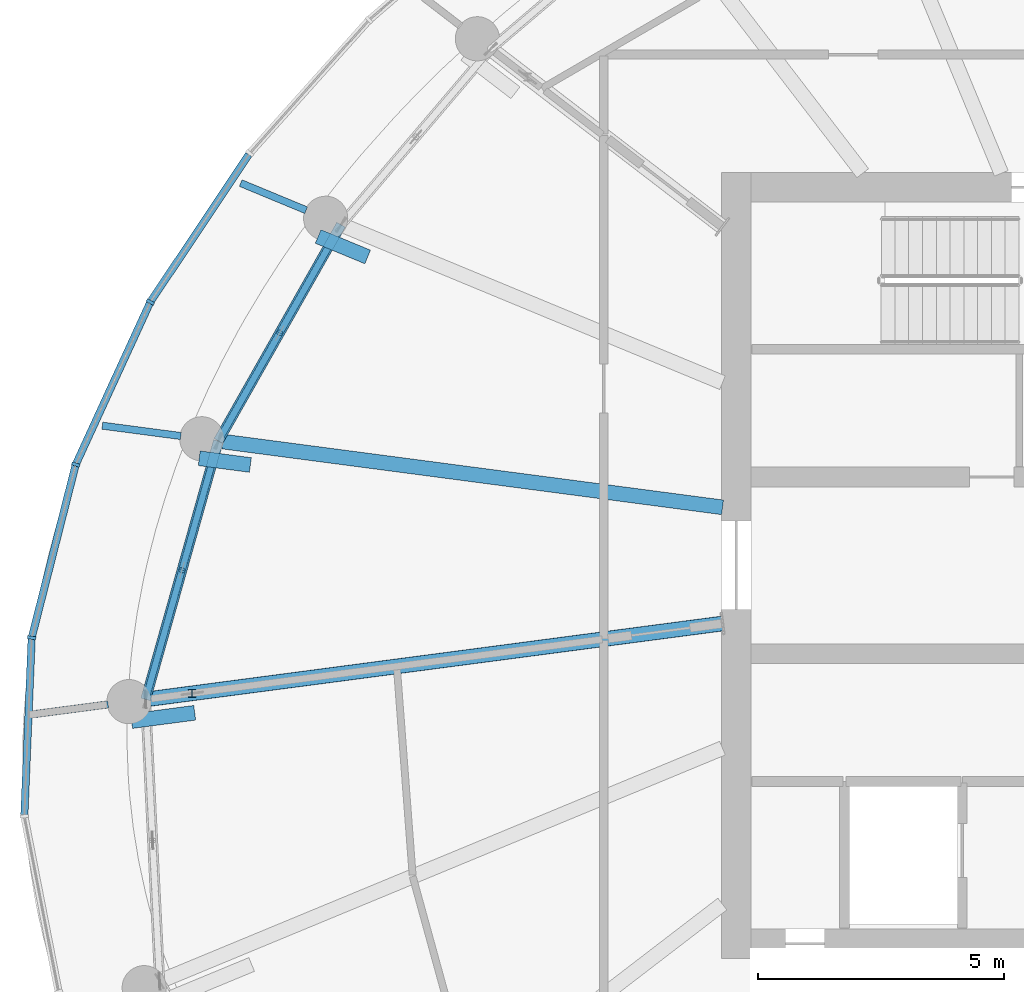
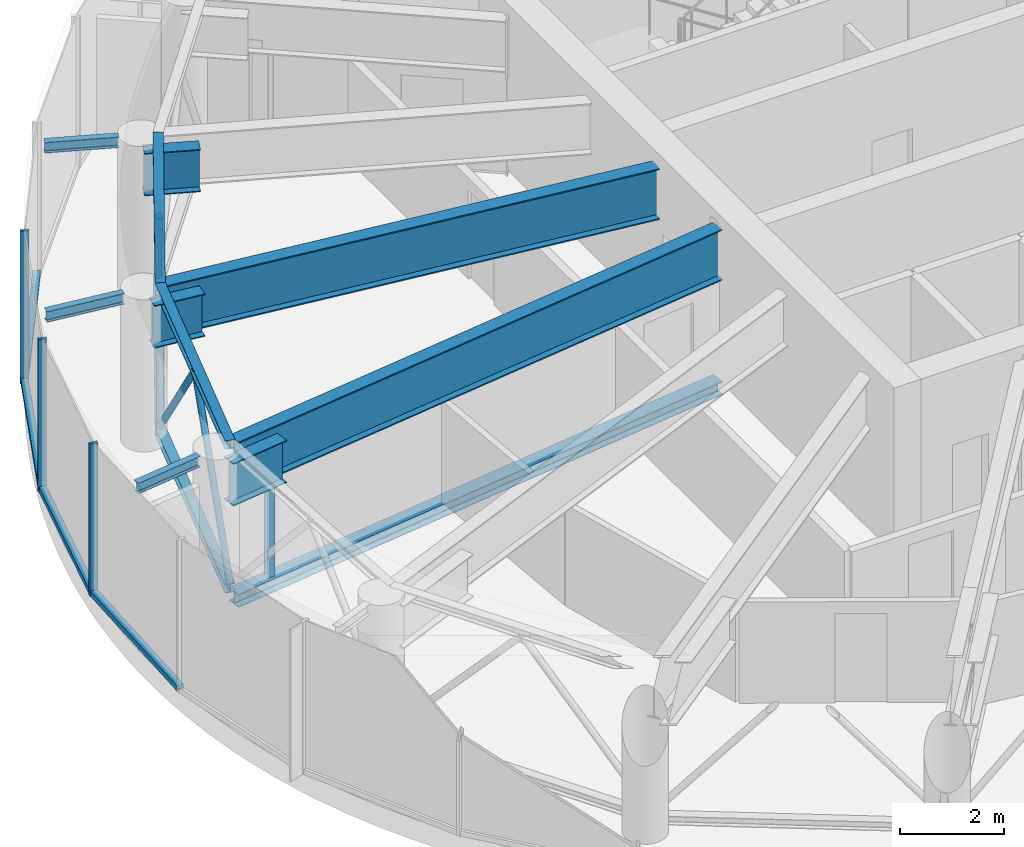
# One storey, part 5 of 26: 17 members, 8 beams, 1 element without a shape of its own.
"""IFC4 building model written with IfcOpenShell, lengths in metres."""

from ifc_helpers import new_model, si_unit, direction, frame, origin, origin_2d, place, context, subcontext, project, spatial, rectangle, hollow_circle, i_section, extrude, source, transform, mapped, material, layer, layer_set, material_profile, profile_set, type_object, element, aggregate, save


model = new_model("IFC4")

# Units and contexts
model_context = context("Model", 3, precision=1e-05, world=origin(), true_north=direction((0.0, 1.0)))
body_context = subcontext(model_context, "Body", "Model", "MODEL_VIEW")
ifc_project = project(units=[si_unit("LENGTHUNIT", "METRE"), si_unit("AREAUNIT", "SQUARE_METRE"), si_unit("VOLUMEUNIT", "CUBIC_METRE"), si_unit("PLANEANGLEUNIT", "RADIAN"), si_unit("MASSUNIT", "GRAM", prefix="KILO")], contexts=[model_context])

# Site, building, storey
site_placement = place(None, origin())
site = spatial("IfcSite", under=ifc_project, at=site_placement, CompositionType="ELEMENT")
building_placement = place(site_placement, origin())
building = spatial("IfcBuilding", under=site, at=building_placement, Name="Spindrift Exchange Tower", CompositionType="ELEMENT")
storey_placement = place(building_placement, frame((0.0, 0.0, 230.60009765625)))
storey = spatial("IfcBuildingStorey", under=building, at=storey_placement, Name="L56", CompositionType="ELEMENT", Elevation=230.60009765625)

# Beams
ifc_material_1 = material(Name="Steel Grade 300", Category="steel")
ifc_material_profile_1 = material_profile(ifc_material_1, i_section(OverallWidth=0.14599609375, OverallDepth=0.251953125, WebThickness=0.006103515625, FlangeThickness=0.008544921875, FilletRadius=0.011962890625, at=origin_2d()), Name="250UB31.4")
ifc_profile_set_1 = profile_set([ifc_material_profile_1], Name="Steel Grade 300")
beam_type_1 = type_object("IfcBeamType", Name="Cantilever Beam 250UB31.4 Steel Grade 300", PredefinedType="BEAM", material=ifc_profile_set_1)
shared_shape_1 = source(origin(), body_context, "Body", "SweptSolid", [
    extrude(i_section(OverallWidth=0.14599609375, OverallDepth=0.251953125, WebThickness=0.006103515625, FlangeThickness=0.008544921875, FilletRadius=0.011962890625, at=origin_2d()), origin(), (0.0, 0.0, 1.0), 1.505126953125),
])
beam_1_placement = place(storey_placement, frame((30.511474609375, 45.1708984375, 3.453857421875), z_axis=(-0.991458711995, -0.130420943136, 0.0), x_axis=(0.130420943136, -0.991458711995, 0.0)))
element("IfcBeam", 1, at=beam_1_placement, inside=storey, type_object=beam_type_1, Name="L56 cantilever beam R13T", PredefinedType="BEAM", context=body_context, shape_type="MappedRepresentation", body=[
    mapped(shared_shape_1, transform((0.0, 0.0, 0.0), scale=1.0)),
])
shared_shape_2 = source(origin(), body_context, "Body", "SweptSolid", [
    extrude(i_section(OverallWidth=0.14599609375, OverallDepth=0.251953125, WebThickness=0.006103515625, FlangeThickness=0.008544921875, FilletRadius=0.011962890625, at=origin_2d()), origin(), (0.0, 0.0, 1.0), 1.442138671875),
])
beam_2_placement = place(storey_placement, frame((34.543212890625, 55.230712890625, 3.453857421875), z_axis=(-0.923841425001, 0.382775419081, 0.0), x_axis=(-0.382775419081, -0.923841425001, 0.0)))
element("IfcBeam", 2, at=beam_2_placement, inside=storey, type_object=beam_type_1, Name="L56 cantilever beam R11T", PredefinedType="BEAM", context=body_context, shape_type="MappedRepresentation", body=[
    mapped(shared_shape_2, transform((0.0, 0.0, 0.0), scale=1.0)),
])
shared_shape_3 = source(origin(), body_context, "Body", "SweptSolid", [
    extrude(i_section(OverallWidth=0.14599609375, OverallDepth=0.251953125, WebThickness=0.006103515625, FlangeThickness=0.008544921875, FilletRadius=0.011962890625, at=origin_2d()), origin(), (0.0, 0.0, 1.0), 1.611572265625),
])
beam_3_placement = place(storey_placement, frame((31.99267578125, 50.634033203125, 3.453857421875), z_axis=(-0.991435721486, 0.130595597787, 0.0), x_axis=(-0.130595597787, -0.991435721486, 0.0)))
element("IfcBeam", 3, at=beam_3_placement, inside=storey, type_object=beam_type_1, Name="L56 cantilever beam R12T", PredefinedType="BEAM", context=body_context, shape_type="MappedRepresentation", body=[
    mapped(shared_shape_3, transform((0.0, 0.0, 0.0), scale=1.0)),
])
ifc_material_profile_2 = material_profile(ifc_material_1, i_section(OverallWidth=0.300048828125, OverallDepth=1.199951171875, WebThickness=0.011962890625, FlangeThickness=0.028076171875, at=origin_2d()), Name="1200WB249")
ifc_profile_set_2 = profile_set([ifc_material_profile_2], Name="Steel Grade 300")
beam_type_2 = type_object("IfcBeamType", Name="Transfer Girder 1200WB249 Steel Grade 300", PredefinedType="BEAM", material=ifc_profile_set_2)
shared_shape_4 = source(origin(), body_context, "Body", "SweptSolid", [
    extrude(i_section(OverallWidth=0.300048828125, OverallDepth=1.199951171875, WebThickness=0.011962890625, FlangeThickness=0.028076171875, at=origin_2d()), origin(), (0.0, 0.0, 1.0), 10.262451171875),
])
beam_4_placement = place(storey_placement, frame((43.019775390625, 49.182373046875, 2.97998046875), z_axis=(-0.991446763371, 0.130511744304, 0.0), x_axis=(-0.130511744304, -0.991446763371, 0.0)))
element("IfcBeam", 4, at=beam_4_placement, inside=storey, type_object=beam_type_2, Name="L56 radial beam R12A", PredefinedType="BEAM", context=body_context, shape_type="MappedRepresentation", body=[
    mapped(shared_shape_4, transform((0.0, 0.0, 0.0), scale=1.0)),
])
ifc_material_profile_3 = material_profile(ifc_material_1, i_section(OverallWidth=0.300048828125, OverallDepth=1.199951171875, WebThickness=0.011962890625, FlangeThickness=0.028076171875, at=origin_2d()), Name="1200WB249")
ifc_profile_set_3 = profile_set([ifc_material_profile_3], Name="Steel Grade 300")
beam_type_3 = type_object("IfcBeamType", Name="Outrigger Truss Transfer Girder 1200WB249 Steel Grade 300", PredefinedType="BEAM", material=ifc_profile_set_3)
shared_shape_5 = source(origin(), body_context, "Body", "SweptSolid", [
    extrude(i_section(OverallWidth=0.300048828125, OverallDepth=1.199951171875, WebThickness=0.011962890625, FlangeThickness=0.028076171875, at=origin_2d()), origin(), (0.0, 0.0, 1.0), 11.75634765625),
])
beam_5_placement = place(storey_placement, frame((43.019775390625, 46.817626953125, 2.97998046875), z_axis=(-0.991445811455, -0.13051897543, 0.0), x_axis=(0.13051897543, -0.991445811455, 0.0)))
element("IfcBeam", 5, at=beam_5_placement, inside=storey, type_object=beam_type_3, Name="L56 outrigger truss 13 top chord 1", PredefinedType="BEAM", context=body_context, shape_type="MappedRepresentation", body=[
    mapped(shared_shape_5, transform((0.0, 0.0, 0.0), scale=1.0)),
])

# Members
ifc_material_profile_4 = material_profile(ifc_material_1, i_section(OverallWidth=0.304931640625, OverallDepth=0.30810546875, WebThickness=0.010009765625, FlangeThickness=0.015380859375, FilletRadius=0.0166015625, at=origin_2d()), Name="310UC96.8")
ifc_profile_set_4 = profile_set([ifc_material_profile_4], Name="Steel Grade 300")
member_type_1 = type_object("IfcMemberType", Name="Outrigger Truss Chord 310UC96.8 Steel Grade 300", PredefinedType="CHORD", material=ifc_profile_set_4)
shared_shape_6 = source(origin(), body_context, "Body", "SweptSolid", [
    extrude(i_section(OverallWidth=0.304931640625, OverallDepth=0.30810546875, WebThickness=0.010009765625, FlangeThickness=0.015380859375, FilletRadius=0.0166015625, at=origin_2d()), origin(), (0.0, 0.0, 1.0), 11.75634765625),
])
member_1_placement = place(storey_placement, frame((43.019775390625, 46.817626953125, -0.154052734375), z_axis=(-0.991445811455, -0.13051897543, 0.0), x_axis=(0.13051897543, -0.991445811455, 0.0)))
element("IfcMember", 6, at=member_1_placement, inside=storey, type_object=member_type_1, Name="L56 outrigger truss 13 bottom chord 1", PredefinedType="CHORD", context=body_context, shape_type="MappedRepresentation", body=[
    mapped(shared_shape_6, transform((0.0, 0.0, 0.0), scale=1.0)),
])
ifc_material_profile_5 = material_profile(ifc_material_1, i_section(OverallWidth=0.152099609375, OverallDepth=0.152099609375, WebThickness=0.006103515625, FlangeThickness=0.0068359375, FilletRadius=0.008056640625, at=origin_2d()), Name="150UC23.4")
ifc_profile_set_5 = profile_set([ifc_material_profile_5], Name="Steel Grade 300")
member_type_2 = type_object("IfcMemberType", Name="Outrigger Truss Post 150UC23.4 Steel Grade 300", PredefinedType="POST", material=ifc_profile_set_5)
shared_shape_7 = source(origin(), body_context, "Body", "SweptSolid", [
    extrude(i_section(OverallWidth=0.152099609375, OverallDepth=0.152099609375, WebThickness=0.006103515625, FlangeThickness=0.0068359375, FilletRadius=0.008056640625, at=origin_2d()), origin(), (0.0, 0.0, 1.0), 2.3798828125),
])
member_2_placement = place(storey_placement, frame((32.22265625, 45.396240234375, 0.0), z_axis=(0.0, 0.0, 1.0), x_axis=(1.0, 0.0, 0.0)))
element("IfcMember", 7, at=member_2_placement, inside=storey, type_object=member_type_2, Name="L56 outrigger truss 13 post 1", PredefinedType="POST", context=body_context, shape_type="MappedRepresentation", body=[
    mapped(shared_shape_7, transform((0.0, 0.0, 0.0), scale=1.0)),
])
ifc_material_profile_6 = material_profile(ifc_material_1, i_section(OverallWidth=0.202880859375, OverallDepth=0.202880859375, WebThickness=0.00732421875, FlangeThickness=0.010986328125, FilletRadius=0.012939453125, at=origin_2d()), Name="200UC46.2")
ifc_profile_set_6 = profile_set([ifc_material_profile_6], Name="Steel Grade 300")
member_type_3 = type_object("IfcMemberType", Name="Belt Truss Chord 200UC46.2 Steel Grade 300", PredefinedType="CHORD", material=ifc_profile_set_6)
shared_shape_8 = source(origin(), body_context, "Body", "SweptSolid", [
    extrude(i_section(OverallWidth=0.202880859375, OverallDepth=0.202880859375, WebThickness=0.00732421875, FlangeThickness=0.010986328125, FilletRadius=0.012939453125, at=origin_2d()), origin(), (0.0, 0.0, 1.0), 5.062255859375),
])
for number, where, z_axis, x_axis, name in (
    (8, (35.254638671875, 54.93603515625, 3.478515625), (-0.493571013006, -0.869705499075, 0.0), (0.869705499075, -0.493571013006, 0.0), "L56 belt truss 11 top chord"),
    (9, (35.254638671875, 54.93603515625, 0.101318359375), (-0.493571013006, -0.869705499075, 0.0), (0.869705499075, -0.493571013006, 0.0), "L56 belt truss 11 bottom chord"),
):
    element("IfcMember", number, at=place(storey_placement, frame(where, z_axis=z_axis, x_axis=x_axis)), inside=storey, type_object=member_type_3, Name=name, PredefinedType="CHORD", context=body_context, shape_type="MappedRepresentation", body=[
        mapped(shared_shape_8, transform((0.0, 0.0, 0.0), scale=1.0)),
    ])
ifc_material_2 = material(Name="Steel Grade 350", Category="steel")
ifc_material_profile_7 = material_profile(ifc_material_2, hollow_circle(Radius=0.06982421875, WallThickness=0.00537109375, at=origin_2d()), Name="139.7x5.4CHS")
ifc_profile_set_7 = profile_set([ifc_material_profile_7], Name="Steel Grade 350")
member_type_4 = type_object("IfcMemberType", Name="Belt Truss Diagonal 139.7x5.4CHS Steel Grade 350", PredefinedType="BRACE", material=ifc_profile_set_7)
shared_shape_9 = source(origin(), body_context, "Body", "SweptSolid", [
    extrude(hollow_circle(Radius=0.06982421875, WallThickness=0.00537109375, at=origin_2d()), origin(), (0.0, 0.0, 1.0), 4.0595703125),
])
member_3_placement = place(storey_placement, frame((35.254638671875, 54.93603515625, 0.202880859375), z_axis=(-0.307729734579, -0.542210530967, 0.781863255668), x_axis=(0.869693749264, -0.493591716392, 0.0)))
element("IfcMember", 10, at=member_3_placement, inside=storey, type_object=member_type_4, Name="L56 belt truss 11 diagonal 1", PredefinedType="BRACE", context=body_context, shape_type="MappedRepresentation", body=[
    mapped(shared_shape_9, transform((0.0, 0.0, 0.0), scale=1.0)),
])
shared_shape_10 = source(origin(), body_context, "Body", "SweptSolid", [
    extrude(hollow_circle(Radius=0.06982421875, WallThickness=0.00537109375, at=origin_2d()), origin(), (0.0, 0.0, 1.0), 4.059814453125),
])
member_4_placement = place(storey_placement, frame((34.00537109375, 52.73486328125, 3.376953125), z_axis=(-0.307719700112, -0.542252987279, -0.781837760632), x_axis=(0.869717247406, -0.493550311077, 0.0)))
element("IfcMember", 11, at=member_4_placement, inside=storey, type_object=member_type_4, Name="L56 belt truss 11 diagonal 2", PredefinedType="BRACE", context=body_context, shape_type="MappedRepresentation", body=[
    mapped(shared_shape_10, transform((0.0, 0.0, 0.0), scale=1.0)),
])
shared_shape_11 = source(origin(), body_context, "Body", "SweptSolid", [
    extrude(i_section(OverallWidth=0.202880859375, OverallDepth=0.202880859375, WebThickness=0.00732421875, FlangeThickness=0.010986328125, FilletRadius=0.012939453125, at=origin_2d()), origin(), (0.0, 0.0, 1.0), 5.466552734375),
])
for number, where, z_axis, x_axis, name in (
    (12, (32.756103515625, 50.533447265625, 3.478515625), (-0.270961562202, -0.962590168145, 0.0), (0.962590168145, -0.270961562202, 0.0), "L56 belt truss 12 top chord"),
    (13, (32.756103515625, 50.533447265625, 0.101318359375), (-0.270961562202, -0.962590168145, 0.0), (0.962590168145, -0.270961562202, 0.0), "L56 belt truss 12 bottom chord"),
):
    element("IfcMember", number, at=place(storey_placement, frame(where, z_axis=z_axis, x_axis=x_axis)), inside=storey, type_object=member_type_3, Name=name, PredefinedType="CHORD", context=body_context, shape_type="MappedRepresentation", body=[
        mapped(shared_shape_11, transform((0.0, 0.0, 0.0), scale=1.0)),
    ])
shared_shape_12 = source(origin(), body_context, "Body", "SweptSolid", [
    extrude(hollow_circle(Radius=0.06982421875, WallThickness=0.00537109375, at=origin_2d()), origin(), (0.0, 0.0, 1.0), 4.188720703125),
])
for number, where, z_axis, x_axis, name in (
    (14, (32.756103515625, 50.533447265625, 0.202880859375), (-0.176840240789, -0.628091771503, 0.757778500492), (0.962575238322, -0.271014594754, 0.0), "L56 belt truss 12 diagonal 1"),
    (15, (32.015380859375, 47.902587890625, 3.376953125), (-0.176777304531, -0.628133534762, -0.757758567824), (0.962605094124, -0.270908532103, 0.0), "L56 belt truss 12 diagonal 2"),
):
    element("IfcMember", number, at=place(storey_placement, frame(where, z_axis=z_axis, x_axis=x_axis)), inside=storey, type_object=member_type_4, Name=name, PredefinedType="BRACE", context=body_context, shape_type="MappedRepresentation", body=[
        mapped(shared_shape_12, transform((0.0, 0.0, 0.0), scale=1.0)),
    ])

# Beams
ifc_material_profile_8 = material_profile(ifc_material_1, i_section(OverallWidth=0.300048828125, OverallDepth=1.0, WebThickness=0.010009765625, FlangeThickness=0.02001953125, at=origin_2d()), Name="1000WB215")
ifc_profile_set_8 = profile_set([ifc_material_profile_8], Name="Steel Grade 300")
beam_type_4 = type_object("IfcBeamType", Name="Transfer Tie Beam 1000WB215 Steel Grade 300", PredefinedType="BEAM", material=ifc_profile_set_8)
shared_shape_13 = source(origin(), body_context, "Body", "SweptSolid", [
    extrude(i_section(OverallWidth=0.300048828125, OverallDepth=1.0, WebThickness=0.010009765625, FlangeThickness=0.02001953125, at=origin_2d()), origin(), (0.0, 0.0, 1.0), 1.2958984375),
])
beam_6_placement = place(storey_placement, frame((30.989990234375, 44.83056640625, 2.97998046875), z_axis=(0.991442108737, 0.13054709887, 0.0), x_axis=(-0.13054709887, 0.991442108737, 0.0)))
element("IfcBeam", 16, at=beam_6_placement, inside=storey, type_object=beam_type_4, Name="L56 transfer tie beam K13", PredefinedType="BEAM", context=body_context, shape_type="MappedRepresentation", body=[
    mapped(shared_shape_13, transform((0.0, 0.0, 0.0), scale=1.0)),
])
shared_shape_14 = source(origin(), body_context, "Body", "SweptSolid", [
    extrude(i_section(OverallWidth=0.300048828125, OverallDepth=1.0, WebThickness=0.010009765625, FlangeThickness=0.02001953125, at=origin_2d()), origin(), (0.0, 0.0, 1.0), 1.0908203125),
])
beam_7_placement = place(storey_placement, frame((34.78759765625, 54.696533203125, 2.97998046875), z_axis=(0.923869529365, -0.382707581205, 0.0), x_axis=(0.382707581205, 0.923869529365, 0.0)))
element("IfcBeam", 17, at=beam_7_placement, inside=storey, type_object=beam_type_4, Name="L56 transfer tie beam K11", PredefinedType="BEAM", context=body_context, shape_type="MappedRepresentation", body=[
    mapped(shared_shape_14, transform((0.0, 0.0, 0.0), scale=1.0)),
])
shared_shape_15 = source(origin(), body_context, "Body", "SweptSolid", [
    extrude(i_section(OverallWidth=0.300048828125, OverallDepth=1.0, WebThickness=0.010009765625, FlangeThickness=0.02001953125, at=origin_2d()), origin(), (0.0, 0.0, 1.0), 1.050048828125),
])
beam_8_placement = place(storey_placement, frame((32.36669921875, 50.181396484375, 2.97998046875), z_axis=(0.991425781816, -0.130671034095, 0.0), x_axis=(0.130671034095, 0.991425781816, 0.0)))
element("IfcBeam", 18, at=beam_8_placement, inside=storey, type_object=beam_type_4, Name="L56 transfer tie beam K12", PredefinedType="BEAM", context=body_context, shape_type="MappedRepresentation", body=[
    mapped(shared_shape_15, transform((0.0, 0.0, 0.0), scale=1.0)),
])

# Curtain wall, members
ifc_material_3 = material(Name="Fritted laminated glass with bronze frame", Category="glass")
ifc_layer = layer(ifc_material_3, 0.169921875)
ifc_layer_set = layer_set([ifc_layer], Name="ZONE 4 BRONZE FRITTED WALL")
curtain_wall_type = type_object("IfcCurtainWallType", Name="ZONE 4 BRONZE FRITTED WALL", PredefinedType="NOTDEFINED", material=ifc_layer_set)
curtain_wall_placement = place(storey_placement, origin())
curtain_wall = element("IfcCurtainWall", 19, at=curtain_wall_placement, inside=storey, type_object=curtain_wall_type, Name="L56 Zone 4 Bronze Fritted Wall run 3", PredefinedType="NOTDEFINED")
ifc_material_4 = material(Name="Bronze anodised aluminium", Category="aluminium")
ifc_material_profile_9 = material_profile(ifc_material_4, rectangle(XDim=0.06494140625, YDim=0.169921875, at=origin_2d()), Name="ZONE 4 BRONZE FRITTED WALL MULLION 65X170")
ifc_profile_set_9 = profile_set([ifc_material_profile_9], Name="Bronze anodised aluminium")
member_type_5 = type_object("IfcMemberType", Name="ZONE 4 BRONZE FRITTED WALL MULLION 65X170", PredefinedType="MULLION", material=ifc_profile_set_9)
shared_shape_16 = source(origin(), body_context, "Body", "SweptSolid", [
    extrude(rectangle(XDim=0.06494140625, YDim=0.169921875, at=origin_2d()), origin(), (0.0, 0.0, 1.0), 3.579833984375),
])
member_5_placement = place(storey_placement, frame((31.371337890625, 53.363037109375, 0.0), z_axis=(0.0, 0.0, 1.0), x_axis=(-0.487763271141, -0.872975939718, 0.0)))
member_5 = element("IfcMember", 20, at=member_5_placement, type_object=member_type_5, Name="L56 mullion CW-4.15", PredefinedType="MULLION", context=body_context, shape_type="MappedRepresentation", body=[
    mapped(shared_shape_16, transform((0.0, 0.0, 0.0), scale=1.0)),
])
member_6_placement = place(storey_placement, frame((29.85302734375, 50.05419921875, 0.0), z_axis=(0.0, 0.0, 1.0), x_axis=(-0.333148048782, -0.942874529083, 0.0)))
member_6 = element("IfcMember", 21, at=member_6_placement, type_object=member_type_5, Name="L56 mullion CW-4.16", PredefinedType="MULLION", context=body_context, shape_type="MappedRepresentation", body=[
    mapped(shared_shape_16, transform((0.0, 0.0, 0.0), scale=1.0)),
])
member_7_placement = place(storey_placement, frame((28.955810546875, 46.52734375, 0.0), z_axis=(0.0, 0.0, 1.0), x_axis=(-0.144681572943, -0.989478267801, 0.0)))
member_7 = element("IfcMember", 22, at=member_7_placement, type_object=member_type_5, Name="L56 mullion CW-4.17", PredefinedType="MULLION", context=body_context, shape_type="MappedRepresentation", body=[
    mapped(shared_shape_16, transform((0.0, 0.0, 0.0), scale=1.0)),
])
ifc_material_profile_10 = material_profile(ifc_material_4, rectangle(XDim=0.14990234375, YDim=0.125, at=origin_2d()), Name="ZONE 4 BRONZE FRITTED WALL TRANSOM 150X125")
ifc_profile_set_10 = profile_set([ifc_material_profile_10], Name="Bronze anodised aluminium")
member_type_6 = type_object("IfcMemberType", Name="ZONE 4 BRONZE FRITTED WALL TRANSOM 150X125", PredefinedType="USERDEFINED", material=ifc_profile_set_10)
shared_shape_17 = source(origin(), body_context, "Body", "SweptSolid", [
    extrude(rectangle(XDim=0.14990234375, YDim=0.125, at=origin_2d()), origin(), (0.0, 0.0, 1.0), 3.575439453125),
])
member_8_placement = place(storey_placement, frame((31.357666015625, 53.33349609375, 0.0625), z_axis=(-0.417056711038, -0.908880465066, 0.0), x_axis=(0.908880465066, -0.417056711038, 0.0)))
member_8 = element("IfcMember", 23, at=member_8_placement, type_object=member_type_6, Name="L56 transom CW-4.15", ObjectType="TRANSOM", PredefinedType="USERDEFINED", context=body_context, shape_type="MappedRepresentation", body=[
    mapped(shared_shape_17, transform((0.0, 0.0, 0.0), scale=1.0)),
])
shared_shape_18 = source(origin(), body_context, "Body", "SweptSolid", [
    extrude(rectangle(XDim=0.14990234375, YDim=0.125, at=origin_2d()), origin(), (0.0, 0.0, 1.0), 3.57421875),
])
member_9_placement = place(storey_placement, frame((29.844970703125, 50.022705078125, 0.0625), z_axis=(-0.246519484594, -0.969137835251, 0.0), x_axis=(0.969137835251, -0.246519484594, 0.0)))
member_9 = element("IfcMember", 24, at=member_9_placement, type_object=member_type_6, Name="L56 transom CW-4.16", ObjectType="TRANSOM", PredefinedType="USERDEFINED", context=body_context, shape_type="MappedRepresentation", body=[
    mapped(shared_shape_18, transform((0.0, 0.0, 0.0), scale=1.0)),
])
shared_shape_19 = source(origin(), body_context, "Body", "SweptSolid", [
    extrude(rectangle(XDim=0.14990234375, YDim=0.125, at=origin_2d()), origin(), (0.0, 0.0, 1.0), 3.576416015625),
])
member_10_placement = place(storey_placement, frame((33.375732421875, 56.3642578125, 0.0625), z_axis=(-0.55539314246, -0.831587913157, 0.0), x_axis=(0.831587913157, -0.55539314246, 0.0)))
member_10 = element("IfcMember", 25, at=member_10_placement, type_object=member_type_6, Name="L56 transom CW-4.14", ObjectType="TRANSOM", PredefinedType="USERDEFINED", context=body_context, shape_type="MappedRepresentation", body=[
    mapped(shared_shape_19, transform((0.0, 0.0, 0.0), scale=1.0)),
])
shared_shape_20 = source(origin(), body_context, "Body", "SweptSolid", [
    extrude(rectangle(XDim=0.14990234375, YDim=0.125, at=origin_2d()), origin(), (0.0, 0.0, 1.0), 3.572265625),
])
member_11_placement = place(storey_placement, frame((28.95458984375, 46.494873046875, 0.0625), z_axis=(-0.041278058101, -0.99914769775, 0.0), x_axis=(0.99914769775, -0.041278058101, 0.0)))
member_11 = element("IfcMember", 26, at=member_11_placement, type_object=member_type_6, Name="L56 transom CW-4.17", ObjectType="TRANSOM", PredefinedType="USERDEFINED", context=body_context, shape_type="MappedRepresentation", body=[
    mapped(shared_shape_20, transform((0.0, 0.0, 0.0), scale=1.0)),
])
aggregate(curtain_wall, [member_10, member_5, member_8, member_6, member_9, member_7, member_11])

save(model, "model.ifc")
